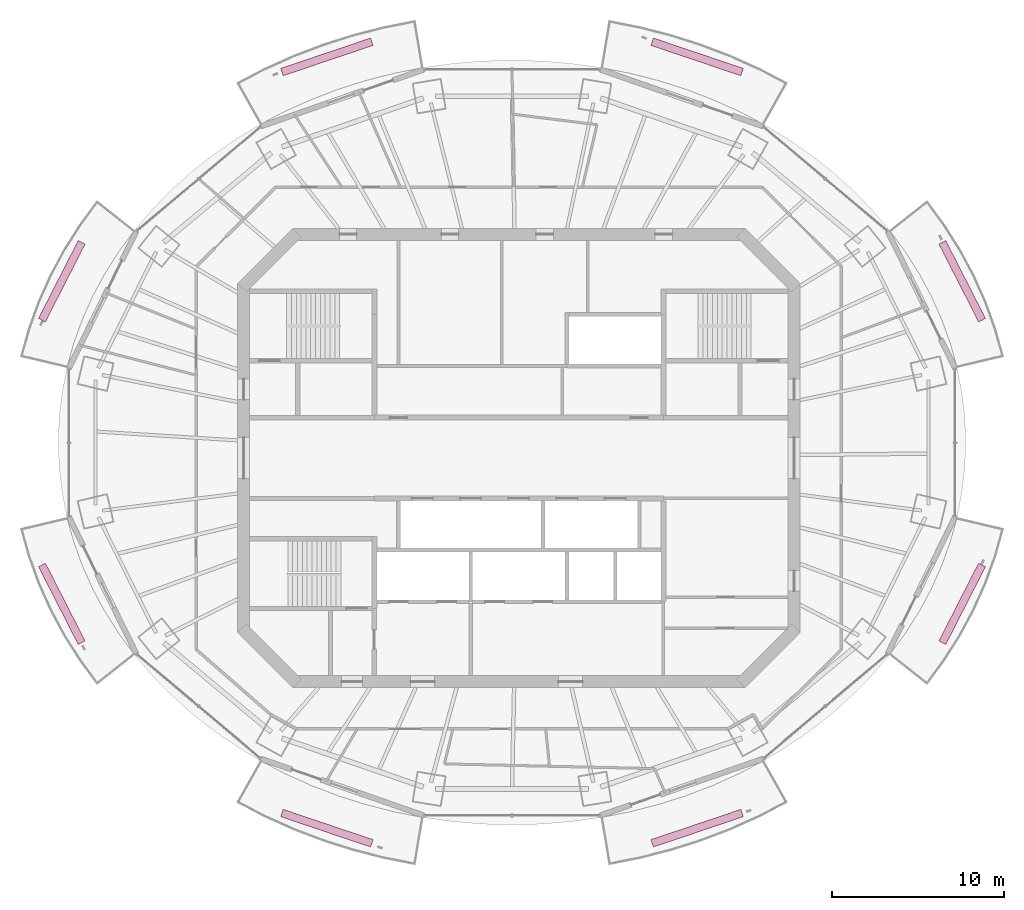
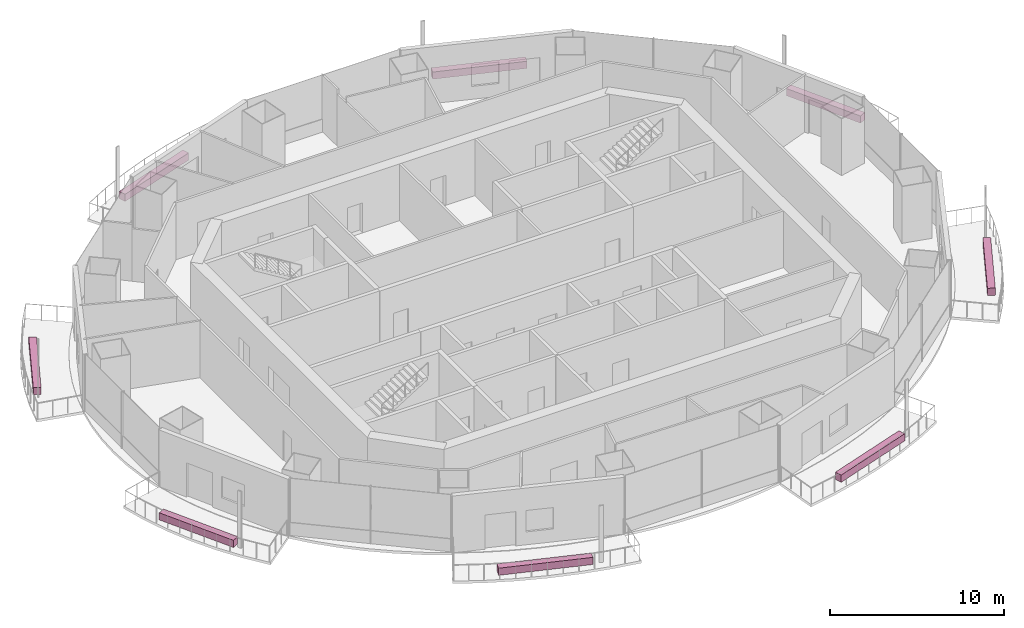
# One storey, part 16 of 16: 8 furnishings.
"""IFC4 building model written with IfcOpenShell, lengths in metres."""

from ifc_helpers import new_model, si_unit, direction, frame, origin, origin_2d, place, context, subcontext, project, spatial, rectangle, extrude, material, type_object, element, save


model = new_model("IFC4")

# Units and contexts
model_context = context("Model", 3, precision=1e-05, world=origin(), true_north=direction((0.0, 1.0)))
body_context = subcontext(model_context, "Body", "Model", "MODEL_VIEW")
ifc_project = project(units=[si_unit("LENGTHUNIT", "METRE"), si_unit("AREAUNIT", "SQUARE_METRE"), si_unit("VOLUMEUNIT", "CUBIC_METRE"), si_unit("PLANEANGLEUNIT", "RADIAN"), si_unit("MASSUNIT", "GRAM", prefix="KILO")], contexts=[model_context])

# Site, building, storey
site_placement = place(None, origin())
site = spatial("IfcSite", under=ifc_project, at=site_placement, CompositionType="ELEMENT")
building_placement = place(site_placement, origin())
building = spatial("IfcBuilding", under=site, at=building_placement, Name="Marenthal Gate Tower", CompositionType="ELEMENT")
storey_placement = place(building_placement, frame((0.0, 0.0, 363.35009765625)))
storey = spatial("IfcBuildingStorey", under=building, at=storey_placement, Name="L82", CompositionType="ELEMENT", Elevation=363.35009765625)

# Furnishings
ifc_material = material(Name="Planting soil and foliage", Category="planting")
furnishing_element_type = type_object("IfcFurnishingElementType", Name="Balcony PLANTER trough", material=ifc_material)
furnishing_1_placement = place(storey_placement, frame((25.7724609375, 10.27685546875, -0.0400390625), z_axis=(0.0, 0.0, 1.0), x_axis=(-0.454595744024, 0.890697877799, 0.0)))
element("IfcFurnishingElement", 1, at=furnishing_1_placement, inside=storey, type_object=furnishing_element_type, Name="Balcony PLANTER L82 bay 1", ObjectType="PLANTER", context=body_context, shape_type="SweptSolid", body=[
    extrude(rectangle(XDim=5.07421875, YDim=0.449951171875, at=origin_2d()), origin(), (0.0, 0.0, 1.0), 0.5),
])
for number, where, z_axis, x_axis, name in (
    (2, (10.3623046875, 23.319580078125, -0.0400390625), (0.0, 0.0, 1.0), (-0.947505237086, 0.319740247224, 0.0), "Balcony PLANTER L82 bay 3"),
    (3, (-11.162353515625, 23.319580078125, -0.0400390625), (0.0, 0.0, 1.0), (-0.947505237086, -0.319740247224, 0.0), "Balcony PLANTER L82 bay 5"),
):
    element("IfcFurnishingElement", number, at=place(storey_placement, frame(where, z_axis=z_axis, x_axis=x_axis)), inside=storey, type_object=furnishing_element_type, Name=name, ObjectType="PLANTER", context=body_context, shape_type="SweptSolid", body=[
        extrude(rectangle(XDim=5.519775390625, YDim=0.449951171875, at=origin_2d()), origin(), (0.0, 0.0, 1.0), 0.5),
    ])
for number, where, z_axis, x_axis, name in (
    (4, (-26.572265625, 10.27685546875, -0.0400390625), (0.0, 0.0, 1.0), (-0.454595744024, -0.890697877799, 0.0), "Balcony PLANTER L82 bay 7"),
    (5, (-26.572265625, -8.476806640625, -0.0400390625), (0.0, 0.0, 1.0), (0.454595744024, -0.890697877799, 0.0), "Balcony PLANTER L82 bay 9"),
):
    element("IfcFurnishingElement", number, at=place(storey_placement, frame(where, z_axis=z_axis, x_axis=x_axis)), inside=storey, type_object=furnishing_element_type, Name=name, ObjectType="PLANTER", context=body_context, shape_type="SweptSolid", body=[
        extrude(rectangle(XDim=5.07421875, YDim=0.449951171875, at=origin_2d()), origin(), (0.0, 0.0, 1.0), 0.5),
    ])
for number, where, z_axis, x_axis, name in (
    (6, (-11.162353515625, -21.519775390625, -0.0400390625), (0.0, 0.0, 1.0), (0.947505237086, -0.319740247224, 0.0), "Balcony PLANTER L82 bay 11"),
    (7, (10.3623046875, -21.519775390625, -0.0400390625), (0.0, 0.0, 1.0), (0.947505237086, 0.319740247224, 0.0), "Balcony PLANTER L82 bay 13"),
):
    element("IfcFurnishingElement", number, at=place(storey_placement, frame(where, z_axis=z_axis, x_axis=x_axis)), inside=storey, type_object=furnishing_element_type, Name=name, ObjectType="PLANTER", context=body_context, shape_type="SweptSolid", body=[
        extrude(rectangle(XDim=5.519775390625, YDim=0.449951171875, at=origin_2d()), origin(), (0.0, 0.0, 1.0), 0.5),
    ])
furnishing_2_placement = place(storey_placement, frame((25.7724609375, -8.476806640625, -0.0400390625), z_axis=(0.0, 0.0, 1.0), x_axis=(0.454595744024, 0.890697877799, 0.0)))
element("IfcFurnishingElement", 8, at=furnishing_2_placement, inside=storey, type_object=furnishing_element_type, Name="Balcony PLANTER L82 bay 15", ObjectType="PLANTER", context=body_context, shape_type="SweptSolid", body=[
    extrude(rectangle(XDim=5.07421875, YDim=0.449951171875, at=origin_2d()), origin(), (0.0, 0.0, 1.0), 0.5),
])

save(model, "model.ifc")
